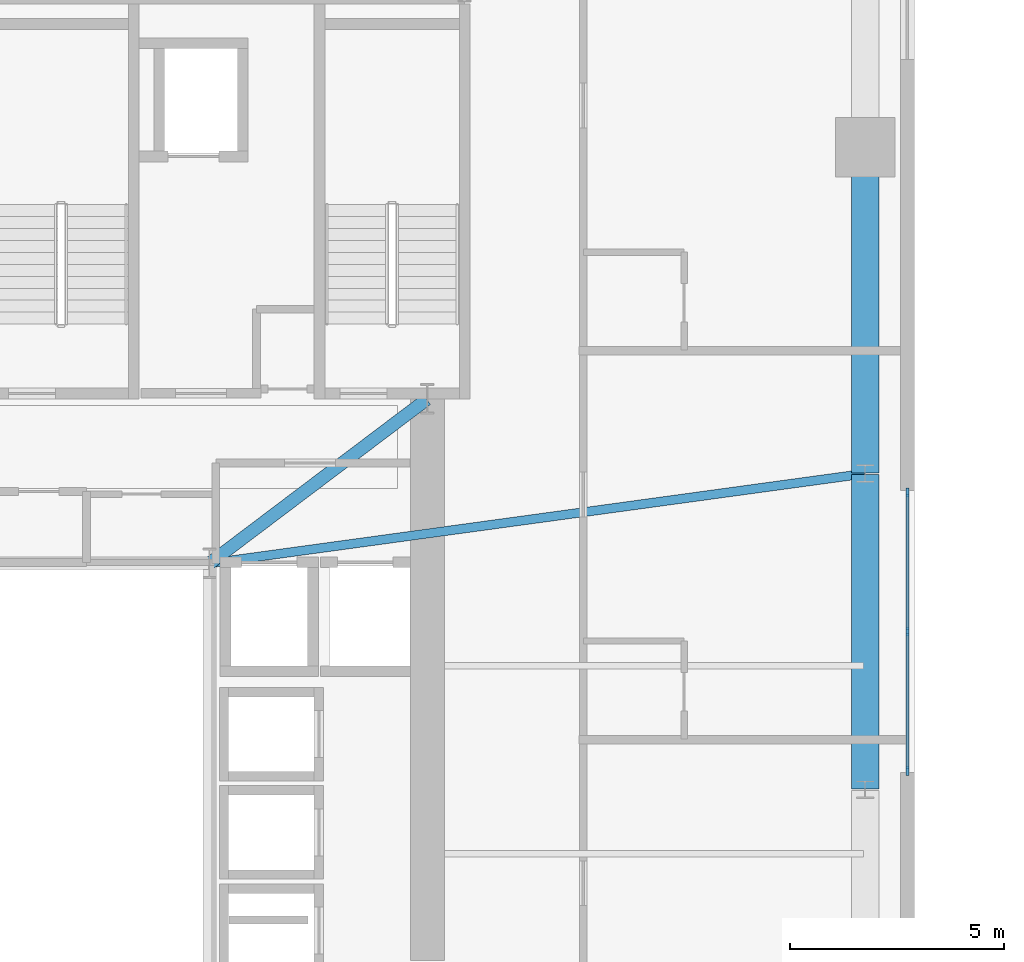
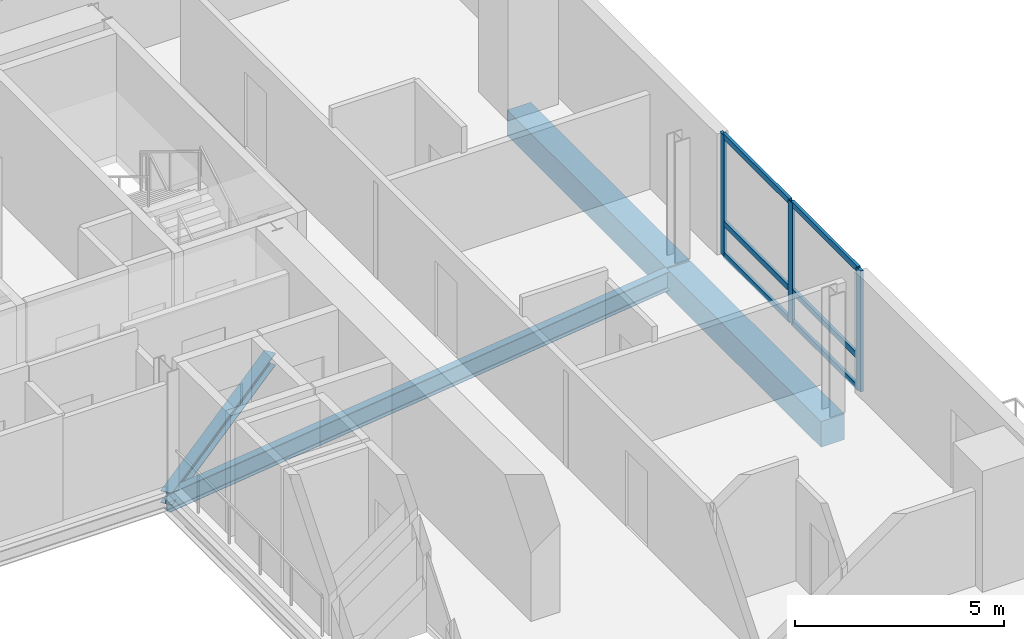
# One storey, part 5 of 17: 9 members, 4 beams, 1 element without a shape of its own.
"""IFC4 building model written with IfcOpenShell, lengths in metres."""

from ifc_helpers import new_model, si_unit, direction, frame, origin, origin_2d, place, context, subcontext, project, spatial, rectangle, i_section, extrude, source, transform, mapped, material, material_profile, profile_set, type_object, element, aggregate, save


model = new_model("IFC4")

# Units and contexts
model_context = context("Model", 3, precision=1e-05, world=origin(), true_north=direction((0.0, 1.0)))
body_context = subcontext(model_context, "Body", "Model", "MODEL_VIEW")
ifc_project = project(units=[si_unit("LENGTHUNIT", "METRE"), si_unit("AREAUNIT", "SQUARE_METRE"), si_unit("VOLUMEUNIT", "CUBIC_METRE"), si_unit("PLANEANGLEUNIT", "RADIAN"), si_unit("MASSUNIT", "GRAM", prefix="KILO")], contexts=[model_context])

# Site, building, storey
site_placement = place(None, origin())
site = spatial("IfcSite", under=ifc_project, at=site_placement, CompositionType="ELEMENT")
building_placement = place(site_placement, origin())
building = spatial("IfcBuilding", under=site, at=building_placement, Name="Vardaveli Station Tower", CompositionType="ELEMENT")
storey_placement = place(building_placement, frame((0.0, 0.0, 218.550048828125)))
storey = spatial("IfcBuildingStorey", under=building, at=storey_placement, Name="L56", CompositionType="ELEMENT", Elevation=218.550048828125)

# Beams
ifc_material_1 = material(Name="Structural steel S355J2", Category="steel")
ifc_material_profile_1 = material_profile(ifc_material_1, i_section(OverallWidth=0.300048828125, OverallDepth=0.360107421875, WebThickness=0.012451171875, FlangeThickness=0.0224609375, FilletRadius=0.027099609375, at=origin_2d()), Name="HEB 360")
ifc_profile_set_1 = profile_set([ifc_material_profile_1], Name="Structural steel S355J2")
beam_type_1 = type_object("IfcBeamType", Name="BM-HEB360", PredefinedType="BEAM", material=ifc_profile_set_1)
shared_shape_1 = source(origin(), body_context, "Body", "SweptSolid", [
    extrude(i_section(OverallWidth=0.300048828125, OverallDepth=0.360107421875, WebThickness=0.012451171875, FlangeThickness=0.0224609375, FilletRadius=0.027099609375, at=origin_2d()), origin(), (0.0, 0.0, 1.0), 6.35009765625),
])
beam_1_placement = place(storey_placement, frame((41.416015625, 26.81201171875, -0.400146484375), z_axis=(0.798118337722, 0.602500721154, 0.0), x_axis=(-0.602500721154, 0.798118337722, 0.0)))
element("IfcBeam", 1, at=beam_1_placement, inside=storey, type_object=beam_type_1, Name="CBM-L56-02", PredefinedType="BEAM", context=body_context, shape_type="MappedRepresentation", body=[
    mapped(shared_shape_1, transform((0.0, 0.0, 0.0), scale=1.0)),
])
ifc_material_2 = material(Name="Precast concrete C45/55", Category="concrete")
ifc_material_profile_2 = material_profile(ifc_material_2, rectangle(XDim=0.64990234375, YDim=0.75, at=origin_2d()), Name="LPB 650x750")
ifc_profile_set_2 = profile_set([ifc_material_profile_2], Name="Precast concrete C45/55")
beam_type_2 = type_object("IfcBeamType", Name="BM-LPB-750", PredefinedType="BEAM", material=ifc_profile_set_2)
shared_shape_2 = source(origin(), body_context, "Body", "SweptSolid", [
    extrude(rectangle(XDim=0.64990234375, YDim=0.75, at=origin_2d()), origin(), (0.0, 0.0, 1.0), 7.60009765625),
])
beam_2_placement = place(storey_placement, frame((56.75, 28.919921875, -0.594970703125), z_axis=(0.0, 1.0, 0.0), x_axis=(-1.0, 0.0, 0.0)))
element("IfcBeam", 2, at=beam_2_placement, inside=storey, type_object=beam_type_2, Name="RBM-L56-09", PredefinedType="BEAM", context=body_context, shape_type="MappedRepresentation", body=[
    mapped(shared_shape_2, transform((0.0, 0.0, 0.0), scale=1.0)),
])
shared_shape_3 = source(origin(), body_context, "Body", "SweptSolid", [
    extrude(rectangle(XDim=0.64990234375, YDim=0.75, at=origin_2d()), origin(), (0.0, 0.0, 1.0), 7.35986328125),
])
beam_3_placement = place(storey_placement, frame((56.75, 21.52001953125, -0.594970703125), z_axis=(0.0, 1.0, 0.0), x_axis=(-1.0, 0.0, 0.0)))
element("IfcBeam", 3, at=beam_3_placement, inside=storey, type_object=beam_type_2, Name="RBM-L56-08", PredefinedType="BEAM", context=body_context, shape_type="MappedRepresentation", body=[
    mapped(shared_shape_3, transform((0.0, 0.0, 0.0), scale=1.0)),
])
ifc_material_profile_3 = material_profile(ifc_material_1, i_section(OverallWidth=0.2099609375, OverallDepth=0.550048828125, WebThickness=0.010986328125, FlangeThickness=0.01708984375, FilletRadius=0.02392578125, at=origin_2d()), Name="IPE 550")
ifc_profile_set_3 = profile_set([ifc_material_profile_3], Name="Structural steel S355J2")
beam_type_3 = type_object("IfcBeamType", Name="BM-IPE550", PredefinedType="BEAM", material=ifc_profile_set_3)
shared_shape_4 = source(origin(), body_context, "Body", "SweptSolid", [
    extrude(i_section(OverallWidth=0.2099609375, OverallDepth=0.550048828125, WebThickness=0.010986328125, FlangeThickness=0.01708984375, FilletRadius=0.02392578125, at=origin_2d()), origin(), (0.0, 0.0, 1.0), 15.452880859375),
])
beam_4_placement = place(storey_placement, frame((56.730224609375, 28.897216796875, -0.4951171875), z_axis=(-0.99077191151, -0.135539733521, 0.0), x_axis=(0.135539733521, -0.99077191151, 0.0)))
element("IfcBeam", 4, at=beam_4_placement, inside=storey, type_object=beam_type_3, Name="GBM-L56-07", PredefinedType="BEAM", context=body_context, shape_type="MappedRepresentation", body=[
    mapped(shared_shape_4, transform((0.0, 0.0, 0.0), scale=1.0)),
])

# Curtain wall, members
ifc_material_3 = material(Name="Travertine stone and solar-control glass", Category="masonry")
curtain_wall_type = type_object("IfcCurtainWallType", Name="CW-SYS-5", PredefinedType="NOTDEFINED", material=ifc_material_3)
curtain_wall_placement = place(storey_placement, origin())
curtain_wall = element("IfcCurtainWall", 5, at=curtain_wall_placement, inside=storey, type_object=curtain_wall_type, Name="CW-L56-E", PredefinedType="NOTDEFINED")
ifc_material_4 = material(Name="Anodised aluminium alloy 6063-T6", Category="aluminium")
ifc_material_profile_4 = material_profile(ifc_material_4, rectangle(XDim=0.080078125, YDim=0.1650390625, at=origin_2d()), Name="CWT 80x165")
ifc_profile_set_4 = profile_set([ifc_material_profile_4], Name="Anodised aluminium alloy 6063-T6")
member_type_1 = type_object("IfcMemberType", Name="CW-SYS-5-TRAN", PredefinedType="NOTDEFINED", material=ifc_profile_set_4)
shared_shape_5 = source(origin(), body_context, "Body", "SweptSolid", [
    extrude(rectangle(XDim=0.080078125, YDim=0.1650390625, at=origin_2d()), origin(), (0.0, 0.0, 1.0), 3.179931640625),
])
member_1_placement = place(storey_placement, frame((57.739990234375, 21.97998046875, 0.0400390625), z_axis=(0.0, 1.0, 0.0), x_axis=(-1.0, 0.0, 0.0)))
member_1 = element("IfcMember", 6, at=member_1_placement, type_object=member_type_1, Name="CW-5 transom 1.1", ObjectType="TRANSOM", PredefinedType="USERDEFINED", context=body_context, shape_type="MappedRepresentation", body=[
    mapped(shared_shape_5, transform((0.0, 0.0, 0.0), scale=1.0)),
])
member_2_placement = place(storey_placement, frame((57.739990234375, 21.97998046875, 0.949951171875), z_axis=(0.0, 1.0, 0.0), x_axis=(-1.0, 0.0, 0.0)))
member_2 = element("IfcMember", 7, at=member_2_placement, type_object=member_type_1, Name="CW-5 transom 1.2", ObjectType="TRANSOM", PredefinedType="USERDEFINED", context=body_context, shape_type="MappedRepresentation", body=[
    mapped(shared_shape_5, transform((0.0, 0.0, 0.0), scale=1.0)),
])
member_3_placement = place(storey_placement, frame((57.739990234375, 21.97998046875, 3.489990234375), z_axis=(0.0, 1.0, 0.0), x_axis=(-1.0, 0.0, 0.0)))
member_3 = element("IfcMember", 8, at=member_3_placement, type_object=member_type_1, Name="CW-5 transom 1.3", ObjectType="TRANSOM", PredefinedType="USERDEFINED", context=body_context, shape_type="MappedRepresentation", body=[
    mapped(shared_shape_5, transform((0.0, 0.0, 0.0), scale=1.0)),
])
member_4_placement = place(storey_placement, frame((57.739990234375, 25.239990234375, 0.0400390625), z_axis=(0.0, 1.0, 0.0), x_axis=(-1.0, 0.0, 0.0)))
member_4 = element("IfcMember", 9, at=member_4_placement, type_object=member_type_1, Name="CW-5 transom 2.1", ObjectType="TRANSOM", PredefinedType="USERDEFINED", context=body_context, shape_type="MappedRepresentation", body=[
    mapped(shared_shape_5, transform((0.0, 0.0, 0.0), scale=1.0)),
])
member_5_placement = place(storey_placement, frame((57.739990234375, 25.239990234375, 0.949951171875), z_axis=(0.0, 1.0, 0.0), x_axis=(-1.0, 0.0, 0.0)))
member_5 = element("IfcMember", 10, at=member_5_placement, type_object=member_type_1, Name="CW-5 transom 2.2", ObjectType="TRANSOM", PredefinedType="USERDEFINED", context=body_context, shape_type="MappedRepresentation", body=[
    mapped(shared_shape_5, transform((0.0, 0.0, 0.0), scale=1.0)),
])
member_6_placement = place(storey_placement, frame((57.739990234375, 25.239990234375, 3.489990234375), z_axis=(0.0, 1.0, 0.0), x_axis=(-1.0, 0.0, 0.0)))
member_6 = element("IfcMember", 11, at=member_6_placement, type_object=member_type_1, Name="CW-5 transom 2.3", ObjectType="TRANSOM", PredefinedType="USERDEFINED", context=body_context, shape_type="MappedRepresentation", body=[
    mapped(shared_shape_5, transform((0.0, 0.0, 0.0), scale=1.0)),
])
ifc_material_profile_5 = material_profile(ifc_material_4, rectangle(XDim=0.080078125, YDim=0.205078125, at=origin_2d()), Name="CWM 80x205")
ifc_profile_set_5 = profile_set([ifc_material_profile_5], Name="Anodised aluminium alloy 6063-T6")
member_type_2 = type_object("IfcMemberType", Name="CW-SYS-5-MULL", PredefinedType="MULLION", material=ifc_profile_set_5)
shared_shape_6 = source(origin(), body_context, "Body", "SweptSolid", [
    extrude(rectangle(XDim=0.080078125, YDim=0.205078125, at=origin_2d()), origin(), (0.0, 0.0, 1.0), 3.530029296875),
])
member_7_placement = place(storey_placement, frame((57.739990234375, 21.93994140625, 0.0), z_axis=(0.0, 0.0, 1.0), x_axis=(-1.0, 0.0, 0.0)))
member_7 = element("IfcMember", 12, at=member_7_placement, type_object=member_type_2, Name="CW-5 mullion 1", PredefinedType="MULLION", context=body_context, shape_type="MappedRepresentation", body=[
    mapped(shared_shape_6, transform((0.0, 0.0, 0.0), scale=1.0)),
])
member_8_placement = place(storey_placement, frame((57.739990234375, 25.199951171875, 0.0), z_axis=(0.0, 0.0, 1.0), x_axis=(-1.0, 0.0, 0.0)))
member_8 = element("IfcMember", 13, at=member_8_placement, type_object=member_type_2, Name="CW-5 mullion 2", PredefinedType="MULLION", context=body_context, shape_type="MappedRepresentation", body=[
    mapped(shared_shape_6, transform((0.0, 0.0, 0.0), scale=1.0)),
])
member_9_placement = place(storey_placement, frame((57.739990234375, 28.4599609375, 0.0), z_axis=(0.0, 0.0, 1.0), x_axis=(-1.0, 0.0, 0.0)))
member_9 = element("IfcMember", 14, at=member_9_placement, type_object=member_type_2, Name="CW-5 mullion 3", PredefinedType="MULLION", context=body_context, shape_type="MappedRepresentation", body=[
    mapped(shared_shape_6, transform((0.0, 0.0, 0.0), scale=1.0)),
])
aggregate(curtain_wall, [member_7, member_8, member_9, member_1, member_2, member_3, member_4, member_5, member_6])

save(model, "model.ifc")
